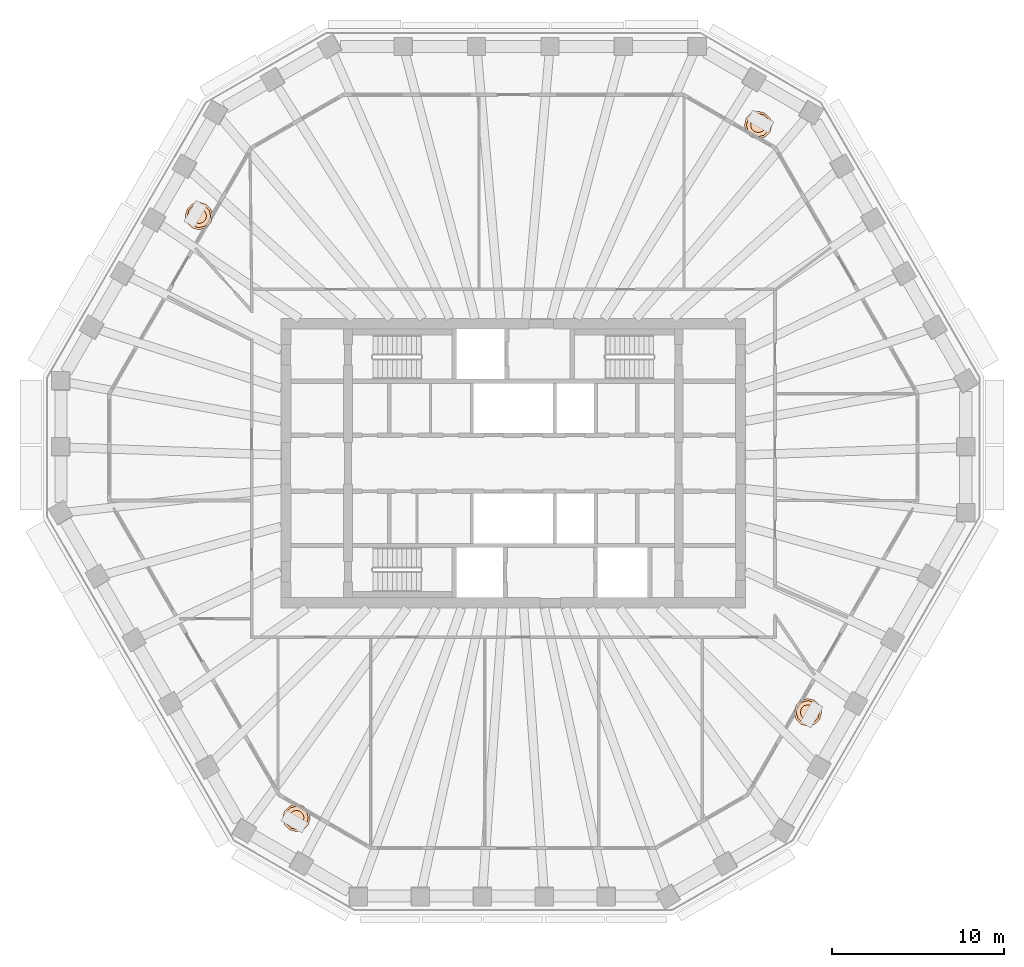
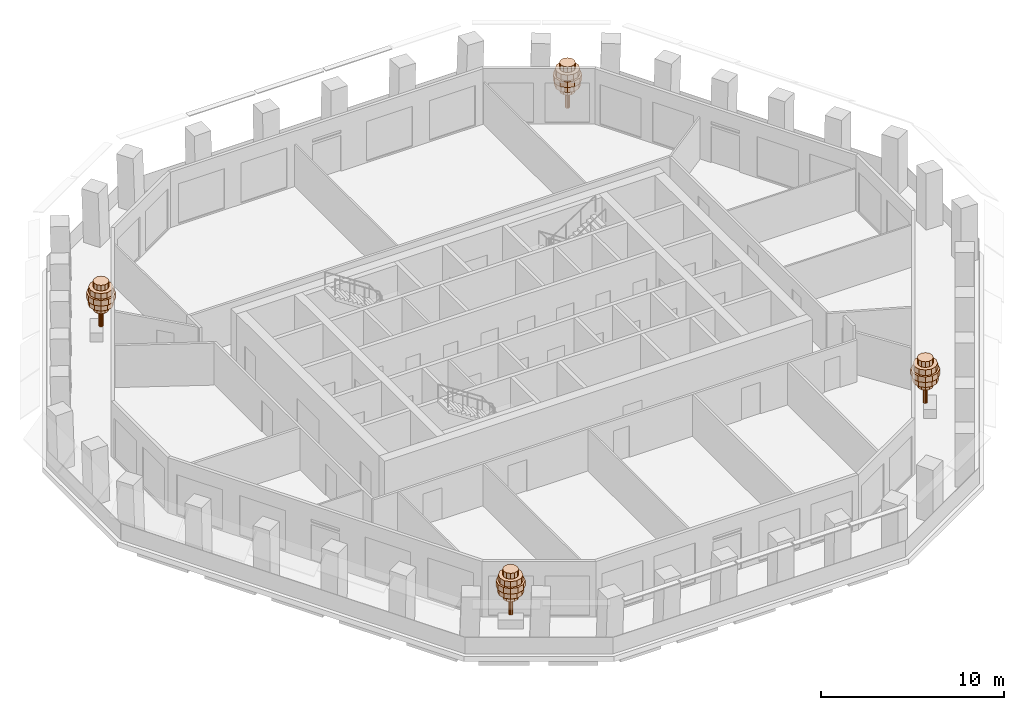
# One storey, part 12 of 12: 4 geographic elements.
"""IFC4 building model written with IfcOpenShell, lengths in metres."""

from ifc_helpers import new_model, si_unit, direction, frame, origin, place, context, subcontext, project, spatial, polyline, outline, extrude, material, type_object, element, save


model = new_model("IFC4")

# Units and contexts
model_context = context("Model", 3, precision=1e-05, world=origin(), true_north=direction((0.0, 1.0)))
body_context = subcontext(model_context, "Body", "Model", "MODEL_VIEW")
ifc_project = project(units=[si_unit("LENGTHUNIT", "METRE"), si_unit("AREAUNIT", "SQUARE_METRE"), si_unit("VOLUMEUNIT", "CUBIC_METRE"), si_unit("PLANEANGLEUNIT", "RADIAN"), si_unit("MASSUNIT", "GRAM", prefix="KILO")], contexts=[model_context])

# Site, building, storey
site_placement = place(None, origin())
site = spatial("IfcSite", under=ifc_project, at=site_placement, CompositionType="ELEMENT")
building_placement = place(site_placement, origin())
building = spatial("IfcBuilding", under=site, at=building_placement, Name="Frailejon Research Tower", CompositionType="ELEMENT")
storey_placement = place(building_placement, frame((0.0, 0.0, 241.39990234375)))
storey = spatial("IfcBuildingStorey", under=building, at=storey_placement, Name="L52", CompositionType="ELEMENT", Elevation=241.39990234375)

# Geographic elements
ifc_material = material(Name="Foliage, green")
geographic_element_type = type_object("IfcGeographicElementType", Name="Frailejon tree, loggia", PredefinedType="USERDEFINED", material=ifc_material)
geographic_element_1_placement = place(storey_placement, frame((14.224609375, 19.64892578125, 0.60009765625)))
element("IfcGeographicElement", 1, at=geographic_element_1_placement, inside=storey, type_object=geographic_element_type, Name="Tree L52", ObjectType="TREE", PredefinedType="USERDEFINED", context=body_context, shape_type="SweptSolid", body=[
    extrude(outline(polyline([(0.1298828125, 0.0), (0.112548828125, 0.06494140625), (0.06494140625, 0.112548828125), (0.0, 0.1298828125), (-0.06494140625, 0.112548828125), (-0.112548828125, 0.06494140625), (-0.1298828125, 0.0), (-0.112548828125, -0.06494140625), (-0.06494140625, -0.112548828125), (0.0, -0.1298828125), (0.06494140625, -0.112548828125), (0.112548828125, -0.06494140625), (0.1298828125, 0.0)])), origin(), (0.0, 0.0, 1.0), 2.239990234375),
    extrude(outline(polyline([(0.43994140625, 0.0), (0.381103515625, 0.219970703125), (0.219970703125, 0.381103515625), (0.0, 0.43994140625), (-0.219970703125, 0.381103515625), (-0.381103515625, 0.219970703125), (-0.43994140625, 0.0), (-0.381103515625, -0.219970703125), (-0.219970703125, -0.381103515625), (0.0, -0.43994140625), (0.219970703125, -0.381103515625), (0.381103515625, -0.219970703125), (0.43994140625, 0.0)])), frame((0.0, 0.0, 1.10009765625)), (0.0, 0.0, 1.0), 0.3798828125),
    extrude(outline(polyline([(0.719970703125, 0.0), (0.62353515625, 0.360107421875), (0.360107421875, 0.62353515625), (0.0, 0.719970703125), (-0.360107421875, 0.62353515625), (-0.62353515625, 0.360107421875), (-0.719970703125, 0.0), (-0.62353515625, -0.360107421875), (-0.360107421875, -0.62353515625), (0.0, -0.719970703125), (0.360107421875, -0.62353515625), (0.62353515625, -0.360107421875), (0.719970703125, 0.0)])), frame((0.0, 0.0, 1.47998046875)), (0.0, 0.0, 1.0), 0.3798828125),
    extrude(outline(polyline([(0.800048828125, 0.0), (0.69287109375, 0.39990234375), (0.39990234375, 0.69287109375), (0.0, 0.800048828125), (-0.39990234375, 0.69287109375), (-0.69287109375, 0.39990234375), (-0.800048828125, 0.0), (-0.69287109375, -0.39990234375), (-0.39990234375, -0.69287109375), (0.0, -0.800048828125), (0.39990234375, -0.69287109375), (0.69287109375, -0.39990234375), (0.800048828125, 0.0)])), frame((0.0, 0.0, 1.860107421875)), (0.0, 0.0, 1.0), 0.3798828125),
    extrude(outline(polyline([(0.679931640625, 0.0), (0.5888671875, 0.340087890625), (0.340087890625, 0.5888671875), (0.0, 0.679931640625), (-0.340087890625, 0.5888671875), (-0.5888671875, 0.340087890625), (-0.679931640625, 0.0), (-0.5888671875, -0.340087890625), (-0.340087890625, -0.5888671875), (0.0, -0.679931640625), (0.340087890625, -0.5888671875), (0.5888671875, -0.340087890625), (0.679931640625, 0.0)])), frame((0.0, 0.0, 2.239990234375)), (0.0, 0.0, 1.0), 0.3798828125),
    extrude(outline(polyline([(0.43994140625, 0.0), (0.381103515625, 0.219970703125), (0.219970703125, 0.381103515625), (0.0, 0.43994140625), (-0.219970703125, 0.381103515625), (-0.381103515625, 0.219970703125), (-0.43994140625, 0.0), (-0.381103515625, -0.219970703125), (-0.219970703125, -0.381103515625), (0.0, -0.43994140625), (0.219970703125, -0.381103515625), (0.381103515625, -0.219970703125), (0.43994140625, 0.0)])), frame((0.0, 0.0, 2.6201171875)), (0.0, 0.0, 1.0), 0.3798828125),
])
geographic_element_2_placement = place(storey_placement, frame((-18.25537109375, 14.366455078125, 0.60009765625)))
element("IfcGeographicElement", 2, at=geographic_element_2_placement, inside=storey, type_object=geographic_element_type, Name="Tree L52", ObjectType="TREE", PredefinedType="USERDEFINED", context=body_context, shape_type="SweptSolid", body=[
    extrude(outline(polyline([(0.1298828125, 0.0), (0.112548828125, 0.06494140625), (0.06494140625, 0.112548828125), (0.0, 0.1298828125), (-0.06494140625, 0.112548828125), (-0.112548828125, 0.06494140625), (-0.1298828125, 0.0), (-0.112548828125, -0.06494140625), (-0.06494140625, -0.112548828125), (0.0, -0.1298828125), (0.06494140625, -0.112548828125), (0.112548828125, -0.06494140625), (0.1298828125, 0.0)])), origin(), (0.0, 0.0, 1.0), 2.239990234375),
    extrude(outline(polyline([(0.43994140625, 0.0), (0.381103515625, 0.219970703125), (0.219970703125, 0.381103515625), (0.0, 0.43994140625), (-0.219970703125, 0.381103515625), (-0.381103515625, 0.219970703125), (-0.43994140625, 0.0), (-0.381103515625, -0.219970703125), (-0.219970703125, -0.381103515625), (0.0, -0.43994140625), (0.219970703125, -0.381103515625), (0.381103515625, -0.219970703125), (0.43994140625, 0.0)])), frame((0.0, 0.0, 1.10009765625)), (0.0, 0.0, 1.0), 0.3798828125),
    extrude(outline(polyline([(0.719970703125, 0.0), (0.62353515625, 0.360107421875), (0.360107421875, 0.62353515625), (0.0, 0.719970703125), (-0.360107421875, 0.62353515625), (-0.62353515625, 0.360107421875), (-0.719970703125, 0.0), (-0.62353515625, -0.360107421875), (-0.360107421875, -0.62353515625), (0.0, -0.719970703125), (0.360107421875, -0.62353515625), (0.62353515625, -0.360107421875), (0.719970703125, 0.0)])), frame((0.0, 0.0, 1.47998046875)), (0.0, 0.0, 1.0), 0.3798828125),
    extrude(outline(polyline([(0.800048828125, 0.0), (0.69287109375, 0.39990234375), (0.39990234375, 0.69287109375), (0.0, 0.800048828125), (-0.39990234375, 0.69287109375), (-0.69287109375, 0.39990234375), (-0.800048828125, 0.0), (-0.69287109375, -0.39990234375), (-0.39990234375, -0.69287109375), (0.0, -0.800048828125), (0.39990234375, -0.69287109375), (0.69287109375, -0.39990234375), (0.800048828125, 0.0)])), frame((0.0, 0.0, 1.860107421875)), (0.0, 0.0, 1.0), 0.3798828125),
    extrude(outline(polyline([(0.679931640625, 0.0), (0.5888671875, 0.340087890625), (0.340087890625, 0.5888671875), (0.0, 0.679931640625), (-0.340087890625, 0.5888671875), (-0.5888671875, 0.340087890625), (-0.679931640625, 0.0), (-0.5888671875, -0.340087890625), (-0.340087890625, -0.5888671875), (0.0, -0.679931640625), (0.340087890625, -0.5888671875), (0.5888671875, -0.340087890625), (0.679931640625, 0.0)])), frame((0.0, 0.0, 2.239990234375)), (0.0, 0.0, 1.0), 0.3798828125),
    extrude(outline(polyline([(0.43994140625, 0.0), (0.381103515625, 0.219970703125), (0.219970703125, 0.381103515625), (0.0, 0.43994140625), (-0.219970703125, 0.381103515625), (-0.381103515625, 0.219970703125), (-0.43994140625, 0.0), (-0.381103515625, -0.219970703125), (-0.219970703125, -0.381103515625), (0.0, -0.43994140625), (0.219970703125, -0.381103515625), (0.381103515625, -0.219970703125), (0.43994140625, 0.0)])), frame((0.0, 0.0, 2.6201171875)), (0.0, 0.0, 1.0), 0.3798828125),
])
geographic_element_3_placement = place(storey_placement, frame((-12.591552734375, -20.591796875, 0.60009765625)))
element("IfcGeographicElement", 3, at=geographic_element_3_placement, inside=storey, type_object=geographic_element_type, Name="Tree L52", ObjectType="TREE", PredefinedType="USERDEFINED", context=body_context, shape_type="SweptSolid", body=[
    extrude(outline(polyline([(0.1298828125, 0.0), (0.112548828125, 0.06494140625), (0.06494140625, 0.112548828125), (0.0, 0.1298828125), (-0.06494140625, 0.112548828125), (-0.112548828125, 0.06494140625), (-0.1298828125, 0.0), (-0.112548828125, -0.06494140625), (-0.06494140625, -0.112548828125), (0.0, -0.1298828125), (0.06494140625, -0.112548828125), (0.112548828125, -0.06494140625), (0.1298828125, 0.0)])), origin(), (0.0, 0.0, 1.0), 2.239990234375),
    extrude(outline(polyline([(0.43994140625, 0.0), (0.381103515625, 0.219970703125), (0.219970703125, 0.381103515625), (0.0, 0.43994140625), (-0.219970703125, 0.381103515625), (-0.381103515625, 0.219970703125), (-0.43994140625, 0.0), (-0.381103515625, -0.219970703125), (-0.219970703125, -0.381103515625), (0.0, -0.43994140625), (0.219970703125, -0.381103515625), (0.381103515625, -0.219970703125), (0.43994140625, 0.0)])), frame((0.0, 0.0, 1.10009765625)), (0.0, 0.0, 1.0), 0.3798828125),
    extrude(outline(polyline([(0.719970703125, 0.0), (0.62353515625, 0.360107421875), (0.360107421875, 0.62353515625), (0.0, 0.719970703125), (-0.360107421875, 0.62353515625), (-0.62353515625, 0.360107421875), (-0.719970703125, 0.0), (-0.62353515625, -0.360107421875), (-0.360107421875, -0.62353515625), (0.0, -0.719970703125), (0.360107421875, -0.62353515625), (0.62353515625, -0.360107421875), (0.719970703125, 0.0)])), frame((0.0, 0.0, 1.47998046875)), (0.0, 0.0, 1.0), 0.3798828125),
    extrude(outline(polyline([(0.800048828125, 0.0), (0.69287109375, 0.39990234375), (0.39990234375, 0.69287109375), (0.0, 0.800048828125), (-0.39990234375, 0.69287109375), (-0.69287109375, 0.39990234375), (-0.800048828125, 0.0), (-0.69287109375, -0.39990234375), (-0.39990234375, -0.69287109375), (0.0, -0.800048828125), (0.39990234375, -0.69287109375), (0.69287109375, -0.39990234375), (0.800048828125, 0.0)])), frame((0.0, 0.0, 1.860107421875)), (0.0, 0.0, 1.0), 0.3798828125),
    extrude(outline(polyline([(0.679931640625, 0.0), (0.5888671875, 0.340087890625), (0.340087890625, 0.5888671875), (0.0, 0.679931640625), (-0.340087890625, 0.5888671875), (-0.5888671875, 0.340087890625), (-0.679931640625, 0.0), (-0.5888671875, -0.340087890625), (-0.340087890625, -0.5888671875), (0.0, -0.679931640625), (0.340087890625, -0.5888671875), (0.5888671875, -0.340087890625), (0.679931640625, 0.0)])), frame((0.0, 0.0, 2.239990234375)), (0.0, 0.0, 1.0), 0.3798828125),
    extrude(outline(polyline([(0.43994140625, 0.0), (0.381103515625, 0.219970703125), (0.219970703125, 0.381103515625), (0.0, 0.43994140625), (-0.219970703125, 0.381103515625), (-0.381103515625, 0.219970703125), (-0.43994140625, 0.0), (-0.381103515625, -0.219970703125), (-0.219970703125, -0.381103515625), (0.0, -0.43994140625), (0.219970703125, -0.381103515625), (0.381103515625, -0.219970703125), (0.43994140625, 0.0)])), frame((0.0, 0.0, 2.6201171875)), (0.0, 0.0, 1.0), 0.3798828125),
])
geographic_element_4_placement = place(storey_placement, frame((17.1123046875, -14.460693359375, 0.60009765625)))
element("IfcGeographicElement", 4, at=geographic_element_4_placement, inside=storey, type_object=geographic_element_type, Name="Tree L52", ObjectType="TREE", PredefinedType="USERDEFINED", context=body_context, shape_type="SweptSolid", body=[
    extrude(outline(polyline([(0.1298828125, 0.0), (0.112548828125, 0.06494140625), (0.06494140625, 0.112548828125), (0.0, 0.1298828125), (-0.06494140625, 0.112548828125), (-0.112548828125, 0.06494140625), (-0.1298828125, 0.0), (-0.112548828125, -0.06494140625), (-0.06494140625, -0.112548828125), (0.0, -0.1298828125), (0.06494140625, -0.112548828125), (0.112548828125, -0.06494140625), (0.1298828125, 0.0)])), origin(), (0.0, 0.0, 1.0), 2.239990234375),
    extrude(outline(polyline([(0.43994140625, 0.0), (0.381103515625, 0.219970703125), (0.219970703125, 0.381103515625), (0.0, 0.43994140625), (-0.219970703125, 0.381103515625), (-0.381103515625, 0.219970703125), (-0.43994140625, 0.0), (-0.381103515625, -0.219970703125), (-0.219970703125, -0.381103515625), (0.0, -0.43994140625), (0.219970703125, -0.381103515625), (0.381103515625, -0.219970703125), (0.43994140625, 0.0)])), frame((0.0, 0.0, 1.10009765625)), (0.0, 0.0, 1.0), 0.3798828125),
    extrude(outline(polyline([(0.719970703125, 0.0), (0.62353515625, 0.360107421875), (0.360107421875, 0.62353515625), (0.0, 0.719970703125), (-0.360107421875, 0.62353515625), (-0.62353515625, 0.360107421875), (-0.719970703125, 0.0), (-0.62353515625, -0.360107421875), (-0.360107421875, -0.62353515625), (0.0, -0.719970703125), (0.360107421875, -0.62353515625), (0.62353515625, -0.360107421875), (0.719970703125, 0.0)])), frame((0.0, 0.0, 1.47998046875)), (0.0, 0.0, 1.0), 0.3798828125),
    extrude(outline(polyline([(0.800048828125, 0.0), (0.69287109375, 0.39990234375), (0.39990234375, 0.69287109375), (0.0, 0.800048828125), (-0.39990234375, 0.69287109375), (-0.69287109375, 0.39990234375), (-0.800048828125, 0.0), (-0.69287109375, -0.39990234375), (-0.39990234375, -0.69287109375), (0.0, -0.800048828125), (0.39990234375, -0.69287109375), (0.69287109375, -0.39990234375), (0.800048828125, 0.0)])), frame((0.0, 0.0, 1.860107421875)), (0.0, 0.0, 1.0), 0.3798828125),
    extrude(outline(polyline([(0.679931640625, 0.0), (0.5888671875, 0.340087890625), (0.340087890625, 0.5888671875), (0.0, 0.679931640625), (-0.340087890625, 0.5888671875), (-0.5888671875, 0.340087890625), (-0.679931640625, 0.0), (-0.5888671875, -0.340087890625), (-0.340087890625, -0.5888671875), (0.0, -0.679931640625), (0.340087890625, -0.5888671875), (0.5888671875, -0.340087890625), (0.679931640625, 0.0)])), frame((0.0, 0.0, 2.239990234375)), (0.0, 0.0, 1.0), 0.3798828125),
    extrude(outline(polyline([(0.43994140625, 0.0), (0.381103515625, 0.219970703125), (0.219970703125, 0.381103515625), (0.0, 0.43994140625), (-0.219970703125, 0.381103515625), (-0.381103515625, 0.219970703125), (-0.43994140625, 0.0), (-0.381103515625, -0.219970703125), (-0.219970703125, -0.381103515625), (0.0, -0.43994140625), (0.219970703125, -0.381103515625), (0.381103515625, -0.219970703125), (0.43994140625, 0.0)])), frame((0.0, 0.0, 2.6201171875)), (0.0, 0.0, 1.0), 0.3798828125),
])

save(model, "model.ifc")
